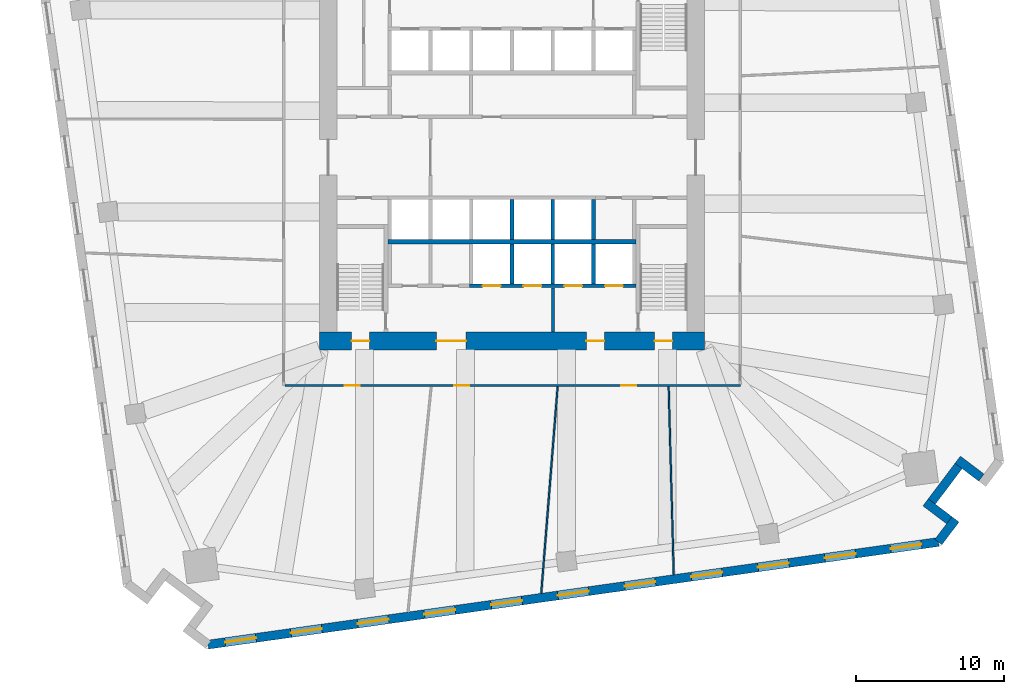
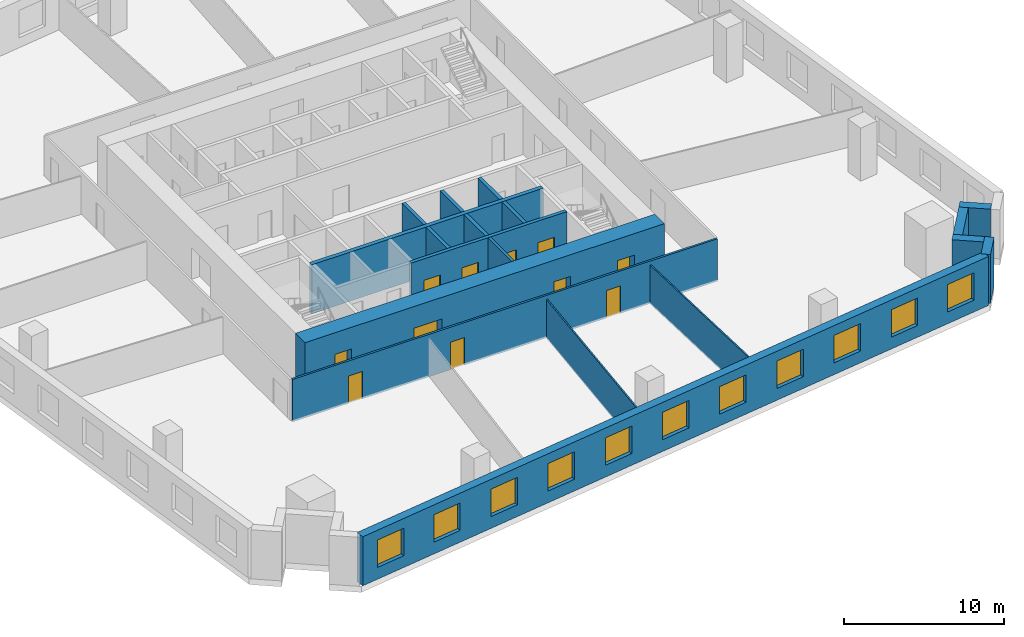
# One storey, part 6 of 12: 18 walls, 11 doors, 11 windows, 22 openings.
"""IFC4 building model written with IfcOpenShell, lengths in metres."""

import ifcopenshell
import ifcopenshell.guid

model = None  # the IFC model being written
_history = None  # IfcOwnerHistory: only IFC2X3 demands one
_inside = {}  # id of a spatial element -> (the spatial element, [elements in it])
_under = {}  # id of a project, library or spatial element -> (it, [spatial elements below it])
_declared = {}  # id of a project -> (the project, [libraries it declares])
_typed = {}  # id of a type object -> (the type object, [elements of that type])
_made_of = {}  # id of a material, layer set ... -> (it, [elements and type objects made of it])


def new_model(schema):
    """Start an empty IFC model of exactly this schema.

    Asked for "IFC4X3", IfcOpenShell would pick the latest addendum, in which some entities
    have other attributes; the version numbers below select the first issue.
    IFC2X3 requires an IfcOwnerHistory on every rooted entity: one is made here for all.
    """
    global model, _history
    if schema == "IFC4X3":
        model = ifcopenshell.file(schema_version=(4, 3, 0, 0))
    else:
        model = ifcopenshell.file(schema=schema)
    _inside.clear()
    _under.clear()
    _declared.clear()
    _typed.clear()
    _made_of.clear()
    _history = None
    if model.schema == "IFC2X3":
        org = make("IfcOrganization", Name="unknown")
        user = make(
            "IfcPersonAndOrganization",
            ThePerson=make("IfcPerson", FamilyName="unknown"),
            TheOrganization=org,
        )
        app = make(
            "IfcApplication",
            ApplicationDeveloper=org,
            Version="unknown",
            ApplicationFullName="unknown",
            ApplicationIdentifier="unknown",
        )
        _history = make(
            "IfcOwnerHistory",
            OwningUser=user,
            OwningApplication=app,
            ChangeAction="ADDED",
            CreationDate=0,
        )
    return model


def make(cls, **values):
    """One entity of the class cls with the attributes given. An attribute that is None is left unset."""
    return model.create_entity(
        cls, **{name: value for name, value in values.items() if value is not None}
    )


def rooted(cls, **values):
    """An entity with a GlobalId (a new one), such as an element, a storey or a relation."""
    return make(cls, GlobalId=ifcopenshell.guid.new(), OwnerHistory=_history, **values)


def si_unit(unit_type, name, prefix=None):
    """IfcSIUnit, for example si_unit("LENGTHUNIT", "METRE", prefix="MILLI")."""
    return make("IfcSIUnit", UnitType=unit_type, Prefix=prefix, Name=name)


def assignment(units):
    """IfcUnitAssignment: the units of a project."""
    return None if units is None else make("IfcUnitAssignment", Units=units)


def point(xyz):
    """IfcCartesianPoint."""
    return None if xyz is None else make("IfcCartesianPoint", Coordinates=xyz)


def direction(xyz):
    """IfcDirection."""
    return None if xyz is None else make("IfcDirection", DirectionRatios=xyz)


def frame(location, z_axis=None, x_axis=None):
    """IfcAxis2Placement3D, a coordinate frame: its origin and axes. An axis left out is left unset."""
    return make(
        "IfcAxis2Placement3D",
        Location=point(location),
        Axis=direction(z_axis),
        RefDirection=direction(x_axis),
    )


def frame_2d(location, x_axis=None):
    """IfcAxis2Placement2D, a coordinate frame in the plane: its origin and x axis."""
    return make(
        "IfcAxis2Placement2D", Location=point(location), RefDirection=direction(x_axis)
    )


def origin():
    """The frame at (0, 0, 0) with its axes left unset."""
    return frame((0.0, 0.0, 0.0))


def place(relative_to, where):
    """IfcLocalPlacement: puts the frame where relative to a parent placement (None: the world)."""
    return make(
        "IfcLocalPlacement", PlacementRelTo=relative_to, RelativePlacement=where
    )


def context(
    kind, dimensions, precision=None, world=None, true_north=None, identifier=None
):
    """IfcGeometricRepresentationContext, for example the 3D "Model" context."""
    return make(
        "IfcGeometricRepresentationContext",
        ContextIdentifier=identifier,
        ContextType=kind,
        CoordinateSpaceDimension=dimensions,
        Precision=precision,
        WorldCoordinateSystem=world,
        TrueNorth=true_north,
    )


def subcontext(parent, identifier, kind, view, scale=None):
    """IfcGeometricRepresentationSubContext, for example "Body" below "Model"."""
    return make(
        "IfcGeometricRepresentationSubContext",
        ContextIdentifier=identifier,
        ContextType=kind,
        ParentContext=parent,
        TargetScale=scale,
        TargetView=view,
    )


def project(units=None, contexts=None):
    """IfcProject with its units and contexts."""
    return rooted(
        "IfcProject",
        Name="project",
        RepresentationContexts=contexts,
        UnitsInContext=assignment(units),
    )


def spatial(cls, under=None, at=None, **own):
    """A site, building, storey or space (cls), placed at a placement, below another one or the project."""
    s = rooted(cls, ObjectPlacement=at, **own)
    if under is not None:
        _under.setdefault(under.id(), (under, []))[1].append(s)
    return s


def profile(cls, at=None, kind="AREA", **sizes):
    """A parametric profile (cls). Its sizes go by their IFC names, for example OverallWidth=200.0."""
    return make(cls, ProfileType=kind, Position=at, **sizes)


def rectangle(**sizes):
    """IfcRectangleProfileDef."""
    return profile("IfcRectangleProfileDef", **sizes)


def extrude(swept, where, along, depth):
    """IfcExtrudedAreaSolid: the profile swept, set in the frame where, extruded along a direction by depth."""
    return make(
        "IfcExtrudedAreaSolid",
        SweptArea=swept,
        Position=where,
        ExtrudedDirection=direction(along),
        Depth=depth,
    )


def shape(context_of_items, identifier, shape_type, items):
    """IfcShapeRepresentation: the items that make up one representation, for example the "Body"."""
    return make(
        "IfcShapeRepresentation",
        ContextOfItems=context_of_items,
        RepresentationIdentifier=identifier,
        RepresentationType=shape_type,
        Items=items,
    )


def material(Name=None, Category=None):
    """IfcMaterial."""
    return make("IfcMaterial", Name=Name, Category=Category)


def layer(
    of_material, thickness, ventilated=None, Name=None, Category=None, Priority=None
):
    """IfcMaterialLayer: one layer of a wall or slab, of a material (None: an air gap)."""
    return make(
        "IfcMaterialLayer",
        Material=of_material,
        LayerThickness=thickness,
        IsVentilated=ventilated,
        Name=Name,
        Category=Category,
        Priority=Priority,
    )


def layer_set(layers, Name=None):
    """IfcMaterialLayerSet."""
    return make("IfcMaterialLayerSet", MaterialLayers=layers, LayerSetName=Name)


def made_of(thing, what):
    """Note that an element or type object is made of a material, layer set ...; save() writes the relation."""
    if what is not None:
        _made_of.setdefault(what.id(), (what, []))[1].append(thing)
    return thing


def type_object(cls, material=None, **own):
    """A type object (cls), such as IfcWallType, which elements share."""
    return made_of(rooted(cls, **own), material)


def element(
    cls,
    number,
    at=None,
    inside=None,
    cuts=None,
    type_object=None,
    material=None,
    context=None,
    identifier="Body",
    shape_type=None,
    held_by="IfcProductDefinitionShape",
    body=None,
    shapes=None,
    **own,
):
    """One element of the class cls, such as IfcWall. Its Tag is "e" and its number.

    at: its placement. inside: the storey or other place that contains it. cuts: it is an
    opening in that element (IfcRelVoidsElement). A single representation is given by context,
    identifier, shape_type and body (its items); several are given by shapes. held_by: the class
    of the entity that holds the representations. save() writes the other relations.
    """
    e = rooted(cls, Tag="e%d" % number, ObjectPlacement=at, **own)
    if body is not None:
        shapes = [shape(context, identifier, shape_type, body)]
    if shapes is not None:
        e.Representation = make(held_by, Representations=shapes)
    if inside is not None:
        _inside.setdefault(inside.id(), (inside, []))[1].append(e)
    if cuts is not None:
        rooted(
            "IfcRelVoidsElement", RelatingBuildingElement=cuts, RelatedOpeningElement=e
        )
    if type_object is not None:
        _typed.setdefault(type_object.id(), (type_object, []))[1].append(e)
    return made_of(e, material)


def fill(opening, filler):
    """IfcRelFillsElement: the door or window that sits in an opening."""
    return rooted(
        "IfcRelFillsElement",
        RelatingOpeningElement=opening,
        RelatedBuildingElement=filler,
    )


def aggregate(whole, parts):
    """IfcRelAggregates: a whole, such as a stair, and the parts it consists of."""
    return rooted("IfcRelAggregates", RelatingObject=whole, RelatedObjects=parts)


def save(model, path):
    """Write the relations noted so far, then the file.

    IfcRelAggregates (storeys below a building ...), IfcRelContainedInSpatialStructure (elements
    in a storey), IfcRelDefinesByType, IfcRelAssociatesMaterial and IfcRelDeclares: one each for
    every whole, place, type object, material and project.
    """
    for whole, parts in _under.values():
        aggregate(whole, parts)
    for where, things in _inside.values():
        rooted(
            "IfcRelContainedInSpatialStructure",
            RelatedElements=things,
            RelatingStructure=where,
        )
    for kind, things in _typed.values():
        rooted("IfcRelDefinesByType", RelatedObjects=things, RelatingType=kind)
    for what, things in _made_of.values():
        rooted("IfcRelAssociatesMaterial", RelatedObjects=things, RelatingMaterial=what)
    for by, libraries in _declared.values():
        rooted("IfcRelDeclares", RelatingContext=by, RelatedDefinitions=libraries)
    model.write(path)


model = new_model("IFC4")

# Units and contexts
model_context = context("Model", 3, precision=1e-05, world=origin(), true_north=direction((0.0, 1.0)))
body_context = subcontext(model_context, "Body", "Model", "MODEL_VIEW")
ifc_project = project(units=[si_unit("LENGTHUNIT", "METRE"), si_unit("AREAUNIT", "SQUARE_METRE"), si_unit("VOLUMEUNIT", "CUBIC_METRE"), si_unit("PLANEANGLEUNIT", "RADIAN"), si_unit("MASSUNIT", "GRAM", prefix="KILO")], contexts=[model_context])

# Site, building, storey
site_placement = place(None, origin())
site = spatial("IfcSite", under=ifc_project, at=site_placement, CompositionType="ELEMENT")
building_placement = place(site_placement, origin())
building = spatial("IfcBuilding", under=site, at=building_placement, Name="Dilmun Exchange Tower", CompositionType="ELEMENT")
storey_placement = place(building_placement, frame((0.0, 0.0, 51.300048828125)))
storey = spatial("IfcBuildingStorey", under=building, at=storey_placement, Name="L11", CompositionType="ELEMENT", Elevation=51.300048828125)

# Wall
ifc_material_1 = material(Name="Concrete C40/50", Category="concrete")
ifc_layer_1 = layer(ifc_material_1, 0.199951171875)
ifc_layer_set_1 = layer_set([ifc_layer_1], Name="Concrete C40/50")
wall_type_1 = type_object("IfcWallType", Name="Core partition wall 200", PredefinedType="PARTITIONING", material=ifc_layer_set_1)
wall_1_placement = place(storey_placement, frame((2.75, -11.794921875, 0.0), z_axis=(0.0, 0.0, 1.0), x_axis=(0.0, 1.0, 0.0)))
element("IfcWall", 1, at=wall_1_placement, inside=storey, type_object=wall_type_1, Name="L11 core partition wall 01", PredefinedType="PARTITIONING", context=body_context, shape_type="SweptSolid", body=[
    extrude(rectangle(XDim=2.989990234375, YDim=0.199951171875, at=frame_2d((1.4951171875, 0.0))), origin(), (0.0, 0.0, 1.0), 3.75),
])

# Wall, openings, doors
ifc_material_2 = material(Name="Concrete C80/95", Category="concrete")
ifc_layer_2 = layer(ifc_material_2, 1.199951171875)
ifc_layer_set_2 = layer_set([ifc_layer_2], Name="Concrete C80/95")
wall_type_2 = type_object("IfcWallType", Name="Core shear wall 1200 Concrete C80/95", PredefinedType="SHEAR", material=ifc_layer_set_2)
wall_2_placement = place(storey_placement, frame((-13.0, -12.39990234375, 0.0), z_axis=(0.0, 0.0, 1.0), x_axis=(1.0, 0.0, 0.0)))
wall_2 = element("IfcWall", 2, at=wall_2_placement, inside=storey, type_object=wall_type_2, Name="L11 core shear wall S", PredefinedType="SHEAR", context=body_context, shape_type="SweptSolid", body=[
    extrude(rectangle(XDim=26.0, YDim=1.199951171875, at=frame_2d((13.0, 0.0))), origin(), (0.0, 0.0, 1.0), 3.75),
])
opening_1_placement = place(wall_2_placement, frame((7.89990234375, 0.0, 0.0)))
opening_1 = element("IfcOpeningElement", 3, at=opening_1_placement, cuts=wall_2, Name="Opening CD2", PredefinedType="OPENING", context=body_context, shape_type="SweptSolid", body=[
    extrude(rectangle(XDim=2.0, YDim=2.10009765625, at=frame_2d((1.0, 1.050048828125))), frame((0.0, 0.60986328125, 0.0), z_axis=(0.0, -1.0, 0.0), x_axis=(1.0, 0.0, 0.0)), (0.0, 0.0, 1.0), 1.219970703125),
])
opening_2_placement = place(wall_2_placement, frame((18.02490234375, 0.0, 0.0)))
opening_2 = element("IfcOpeningElement", 4, at=opening_2_placement, cuts=wall_2, Name="Opening CD3", PredefinedType="OPENING", context=body_context, shape_type="SweptSolid", body=[
    extrude(rectangle(XDim=1.199951171875, YDim=2.10009765625, at=frame_2d((0.60009765625, 1.050048828125))), frame((0.0, 0.60986328125, 0.0), z_axis=(0.0, -1.0, 0.0), x_axis=(1.0, 0.0, 0.0)), (0.0, 0.0, 1.0), 1.219970703125),
])
opening_3_placement = place(wall_2_placement, frame((2.175048828125, 0.0, 0.0)))
opening_3 = element("IfcOpeningElement", 5, at=opening_3_placement, cuts=wall_2, Name="Opening CD3", PredefinedType="OPENING", context=body_context, shape_type="SweptSolid", body=[
    extrude(rectangle(XDim=1.199951171875, YDim=2.10009765625, at=frame_2d((0.60009765625, 1.050048828125))), frame((0.0, 0.60986328125, 0.0), z_axis=(0.0, -1.0, 0.0), x_axis=(1.0, 0.0, 0.0)), (0.0, 0.0, 1.0), 1.219970703125),
])
opening_4_placement = place(wall_2_placement, frame((22.625, 0.0, 0.0)))
opening_4 = element("IfcOpeningElement", 6, at=opening_4_placement, cuts=wall_2, Name="Opening CD3", PredefinedType="OPENING", context=body_context, shape_type="SweptSolid", body=[
    extrude(rectangle(XDim=1.199951171875, YDim=2.10009765625, at=frame_2d((0.60009765625, 1.050048828125))), frame((0.0, 0.60986328125, 0.0), z_axis=(0.0, -1.0, 0.0), x_axis=(1.0, 0.0, 0.0)), (0.0, 0.0, 1.0), 1.219970703125),
])
ifc_material_3 = material(Name="Fire-rated steel door set", Category="steel")
door_type_1 = type_object("IfcDoorType", Name="Core service door 2000x2100", OperationType="DOUBLE_DOOR_DOUBLE_SWING", PredefinedType="DOOR", material=ifc_material_3)
door_1_placement = place(opening_1_placement, origin())
door_1 = element("IfcDoor", 7, at=door_1_placement, inside=storey, type_object=door_type_1, Name="L11 door South service lobby", OperationType="SINGLE_SWING_LEFT", OverallHeight=2.10009765625, OverallWidth=2.0, PredefinedType="DOOR", context=body_context, shape_type="SweptSolid", body=[
    extrude(rectangle(XDim=2.0, YDim=2.10009765625, at=frame_2d((1.0, 1.050048828125))), frame((0.0, 0.02490234375, 0.0), z_axis=(0.0, -1.0, 0.0), x_axis=(1.0, 0.0, 0.0)), (0.0, 0.0, 1.0), 0.050048828125),
])
fill(opening_1, door_1)
door_type_2 = type_object("IfcDoorType", Name="Stair exit door 1200x2100", OperationType="SINGLE_SWING_LEFT", PredefinedType="DOOR", material=ifc_material_3)
door_2_placement = place(opening_2_placement, origin())
door_2 = element("IfcDoor", 8, at=door_2_placement, inside=storey, type_object=door_type_2, Name="L11 door Fire-fighting lobby", OperationType="SINGLE_SWING_LEFT", OverallHeight=2.10009765625, OverallWidth=1.199951171875, PredefinedType="DOOR", context=body_context, shape_type="SweptSolid", body=[
    extrude(rectangle(XDim=1.199951171875, YDim=2.10009765625, at=frame_2d((0.60009765625, 1.050048828125))), frame((0.0, 0.02490234375, 0.0), z_axis=(0.0, -1.0, 0.0), x_axis=(1.0, 0.0, 0.0)), (0.0, 0.0, 1.0), 0.050048828125),
])
fill(opening_2, door_2)
door_3_placement = place(opening_3_placement, origin())
door_3 = element("IfcDoor", 9, at=door_3_placement, inside=storey, type_object=door_type_2, Name="L11 door Stair ST2", OperationType="SINGLE_SWING_LEFT", OverallHeight=2.10009765625, OverallWidth=1.199951171875, PredefinedType="DOOR", context=body_context, shape_type="SweptSolid", body=[
    extrude(rectangle(XDim=1.199951171875, YDim=2.10009765625, at=frame_2d((0.60009765625, 1.050048828125))), frame((0.0, 0.02490234375, 0.0), z_axis=(0.0, -1.0, 0.0), x_axis=(1.0, 0.0, 0.0)), (0.0, 0.0, 1.0), 0.050048828125),
])
fill(opening_3, door_3)
door_4_placement = place(opening_4_placement, origin())
door_4 = element("IfcDoor", 10, at=door_4_placement, inside=storey, type_object=door_type_2, Name="L11 door Stair ST3", OperationType="SINGLE_SWING_LEFT", OverallHeight=2.10009765625, OverallWidth=1.199951171875, PredefinedType="DOOR", context=body_context, shape_type="SweptSolid", body=[
    extrude(rectangle(XDim=1.199951171875, YDim=2.10009765625, at=frame_2d((0.60009765625, 1.050048828125))), frame((0.0, 0.02490234375, 0.0), z_axis=(0.0, -1.0, 0.0), x_axis=(1.0, 0.0, 0.0)), (0.0, 0.0, 1.0), 0.050048828125),
])
fill(opening_4, door_4)

ifc_material_4 = material(Name="Corridor wall 150")
ifc_layer_3 = layer(ifc_material_4, 0.14990234375)
ifc_layer_set_3 = layer_set([ifc_layer_3], Name="Corridor wall 150")
wall_type_3 = type_object("IfcWallType", Name="Corridor wall 150", PredefinedType="PARTITIONING", material=ifc_layer_set_3)
wall_3_placement = place(storey_placement, frame((-15.324951171875, -15.39990234375, 0.0), z_axis=(0.0, 0.0, 1.0), x_axis=(1.0, 0.0, 0.0)))
wall_3 = element("IfcWall", 11, at=wall_3_placement, inside=storey, type_object=wall_type_3, Name="Corridor wall", PredefinedType="PARTITIONING", context=body_context, shape_type="SweptSolid", body=[
    extrude(rectangle(XDim=30.724853515625, YDim=0.14990234375, at=frame_2d((15.3623046875, 0.0))), origin(), (0.0, 0.0, 1.0), 3.25),
])
opening_5_placement = place(wall_3_placement, frame((4.050048828125, 0.0, 0.0)))
opening_5 = element("IfcOpeningElement", 12, at=opening_5_placement, cuts=wall_3, Name="Opening TF11-D06", PredefinedType="OPENING", context=body_context, shape_type="SweptSolid", body=[
    extrude(rectangle(XDim=1.0, YDim=2.10009765625, at=frame_2d((0.5, 1.050048828125))), frame((0.0, 0.0849609375, 0.0), z_axis=(0.0, -1.0, 0.0), x_axis=(1.0, 0.0, 0.0)), (0.0, 0.0, 1.0), 0.169921875),
])
opening_6_placement = place(wall_3_placement, frame((11.427978515625, 0.0, 0.0)))
opening_6 = element("IfcOpeningElement", 13, at=opening_6_placement, cuts=wall_3, Name="Opening TF11-D08", PredefinedType="OPENING", context=body_context, shape_type="SweptSolid", body=[
    extrude(rectangle(XDim=1.0, YDim=2.10009765625, at=frame_2d((0.5, 1.050048828125))), frame((0.0, 0.0849609375, 0.0), z_axis=(0.0, -1.0, 0.0), x_axis=(1.0, 0.0, 0.0)), (0.0, 0.0, 1.0), 0.169921875),
])
opening_7_placement = place(wall_3_placement, frame((22.707275390625, 0.0, 0.0)))
opening_7 = element("IfcOpeningElement", 14, at=opening_7_placement, cuts=wall_3, Name="Opening TF11-D10", PredefinedType="OPENING", context=body_context, shape_type="SweptSolid", body=[
    extrude(rectangle(XDim=1.0, YDim=2.10009765625, at=frame_2d((0.5, 1.050048828125))), frame((0.0, 0.0849609375, 0.0), z_axis=(0.0, -1.0, 0.0), x_axis=(1.0, 0.0, 0.0)), (0.0, 0.0, 1.0), 0.169921875),
])
ifc_material_5 = material(Name="Fire door 1000 x 2100")
door_type_3 = type_object("IfcDoorType", Name="Fire door 1000 x 2100", OperationType="NOTDEFINED", PredefinedType="DOOR", material=ifc_material_5)
door_5_placement = place(opening_5_placement, frame((1.0, 0.0, 0.0), z_axis=(0.0, 0.0, 1.0), x_axis=(-1.0, 0.0, 0.0)))
door_5 = element("IfcDoor", 15, at=door_5_placement, inside=storey, type_object=door_type_3, Name="Door TF11-D06", OperationType="SINGLE_SWING_LEFT", OverallHeight=2.10009765625, OverallWidth=1.0, PredefinedType="DOOR", context=body_context, shape_type="SweptSolid", body=[
    extrude(rectangle(XDim=1.0, YDim=2.10009765625, at=frame_2d((0.5, 1.050048828125))), frame((0.0, 0.02490234375, 0.0), z_axis=(0.0, -1.0, 0.0), x_axis=(1.0, 0.0, 0.0)), (0.0, 0.0, 1.0), 0.050048828125),
])
fill(opening_5, door_5)
door_6_placement = place(opening_6_placement, frame((1.0, 0.0, 0.0), z_axis=(0.0, 0.0, 1.0), x_axis=(-1.0, 0.0, 0.0)))
door_6 = element("IfcDoor", 16, at=door_6_placement, inside=storey, type_object=door_type_3, Name="Door TF11-D08", OperationType="SINGLE_SWING_RIGHT", OverallHeight=2.10009765625, OverallWidth=1.0, PredefinedType="DOOR", context=body_context, shape_type="SweptSolid", body=[
    extrude(rectangle(XDim=1.0, YDim=2.10009765625, at=frame_2d((0.5, 1.050048828125))), frame((0.0, 0.02490234375, 0.0), z_axis=(0.0, -1.0, 0.0), x_axis=(1.0, 0.0, 0.0)), (0.0, 0.0, 1.0), 0.050048828125),
])
fill(opening_6, door_6)
door_7_placement = place(opening_7_placement, frame((1.0, 0.0, 0.0), z_axis=(0.0, 0.0, 1.0), x_axis=(-1.0, 0.0, 0.0)))
door_7 = element("IfcDoor", 17, at=door_7_placement, inside=storey, type_object=door_type_3, Name="Door TF11-D10", OperationType="SINGLE_SWING_LEFT", OverallHeight=2.10009765625, OverallWidth=1.0, PredefinedType="DOOR", context=body_context, shape_type="SweptSolid", body=[
    extrude(rectangle(XDim=1.0, YDim=2.10009765625, at=frame_2d((0.5, 1.050048828125))), frame((0.0, 0.02490234375, 0.0), z_axis=(0.0, -1.0, 0.0), x_axis=(1.0, 0.0, 0.0)), (0.0, 0.0, 1.0), 0.050048828125),
])
fill(opening_7, door_7)

# Walls
ifc_layer_4 = layer(ifc_material_1, 0.300048828125)
ifc_layer_set_4 = layer_set([ifc_layer_4], Name="Concrete C40/50")
wall_type_4 = type_object("IfcWallType", Name="Lift shaft shared wall 300", PredefinedType="SOLIDWALL", material=ifc_layer_set_4)
wall_4_placement = place(storey_placement, frame((-8.375, -5.699951171875, 0.0), z_axis=(0.0, 0.0, 1.0), x_axis=(1.0, 0.0, 0.0)))
element("IfcWall", 18, at=wall_4_placement, inside=storey, type_object=wall_type_4, Name="L11 lift shaft rear wall S", PredefinedType="SOLIDWALL", context=body_context, shape_type="SweptSolid", body=[
    extrude(rectangle(XDim=16.75, YDim=0.300048828125, at=frame_2d((8.375, 0.0))), origin(), (0.0, 0.0, 1.0), 3.75),
])
ifc_layer_5 = layer(ifc_material_1, 0.25)
ifc_layer_set_5 = layer_set([ifc_layer_5], Name="Concrete C40/50")
wall_type_5 = type_object("IfcWallType", Name="Lift shaft wall 250", PredefinedType="SOLIDWALL", material=ifc_layer_set_5)
for number, where, z_axis, x_axis, name in (
    (19, (0.0, -5.550048828125, 0.0), (0.0, 0.0, 1.0), (0.0, 1.0, 0.0), "L11 lift shaft divider S13"),
    (20, (2.75, -5.550048828125, 0.0), (0.0, 0.0, 1.0), (0.0, 1.0, 0.0), "L11 lift shaft divider S14"),
    (21, (5.5, -5.550048828125, 0.0), (0.0, 0.0, 1.0), (0.0, 1.0, 0.0), "L11 lift shaft divider S15"),
):
    element("IfcWall", number, at=place(storey_placement, frame(where, z_axis=z_axis, x_axis=x_axis)), inside=storey, type_object=wall_type_5, Name=name, PredefinedType="SOLIDWALL", context=body_context, shape_type="SweptSolid", body=[
        extrude(rectangle(XDim=2.699951171875, YDim=0.25, at=frame_2d((1.35009765625, 0.0))), origin(), (0.0, 0.0, 1.0), 3.75),
    ])

# Wall, openings, doors
wall_5_placement = place(storey_placement, frame((-2.875, -8.675048828125, 0.0), z_axis=(0.0, 0.0, 1.0), x_axis=(1.0, 0.0, 0.0)))
wall_5 = element("IfcWall", 22, at=wall_5_placement, inside=storey, type_object=wall_type_5, Name="L11 lift shaft front wall S2", PredefinedType="SOLIDWALL", context=body_context, shape_type="SweptSolid", body=[
    extrude(rectangle(XDim=11.25, YDim=0.25, at=frame_2d((5.625, 0.0))), origin(), (0.0, 0.0, 1.0), 3.75),
])
opening_8_placement = place(wall_5_placement, frame((0.89990234375, 0.0, 0.0)))
opening_8 = element("IfcOpeningElement", 23, at=opening_8_placement, cuts=wall_5, Name="Opening LD", PredefinedType="OPENING", context=body_context, shape_type="SweptSolid", body=[
    extrude(rectangle(XDim=1.199951171875, YDim=2.10009765625, at=frame_2d((0.60009765625, 1.050048828125))), frame((0.0, 0.135009765625, 0.0), z_axis=(0.0, -1.0, 0.0), x_axis=(1.0, 0.0, 0.0)), (0.0, 0.0, 1.0), 0.27001953125),
])
opening_9_placement = place(wall_5_placement, frame((3.64990234375, 0.0, 0.0)))
opening_9 = element("IfcOpeningElement", 24, at=opening_9_placement, cuts=wall_5, Name="Opening LD", PredefinedType="OPENING", context=body_context, shape_type="SweptSolid", body=[
    extrude(rectangle(XDim=1.199951171875, YDim=2.10009765625, at=frame_2d((0.60009765625, 1.050048828125))), frame((0.0, 0.135009765625, 0.0), z_axis=(0.0, -1.0, 0.0), x_axis=(1.0, 0.0, 0.0)), (0.0, 0.0, 1.0), 0.27001953125),
])
opening_10_placement = place(wall_5_placement, frame((6.39990234375, 0.0, 0.0)))
opening_10 = element("IfcOpeningElement", 25, at=opening_10_placement, cuts=wall_5, Name="Opening LD", PredefinedType="OPENING", context=body_context, shape_type="SweptSolid", body=[
    extrude(rectangle(XDim=1.199951171875, YDim=2.10009765625, at=frame_2d((0.60009765625, 1.050048828125))), frame((0.0, 0.135009765625, 0.0), z_axis=(0.0, -1.0, 0.0), x_axis=(1.0, 0.0, 0.0)), (0.0, 0.0, 1.0), 0.27001953125),
])
opening_11_placement = place(wall_5_placement, frame((9.14990234375, 0.0, 0.0)))
opening_11 = element("IfcOpeningElement", 26, at=opening_11_placement, cuts=wall_5, Name="Opening LD", PredefinedType="OPENING", context=body_context, shape_type="SweptSolid", body=[
    extrude(rectangle(XDim=1.199951171875, YDim=2.10009765625, at=frame_2d((0.60009765625, 1.050048828125))), frame((0.0, 0.135009765625, 0.0), z_axis=(0.0, -1.0, 0.0), x_axis=(1.0, 0.0, 0.0)), (0.0, 0.0, 1.0), 0.27001953125),
])
door_type_4 = type_object("IfcDoorType", Name="Lift landing door 1200x2100", OperationType="DOUBLE_DOOR_SLIDING", PredefinedType="DOOR", material=ifc_material_3)
door_8_placement = place(opening_8_placement, origin())
door_8 = element("IfcDoor", 27, at=door_8_placement, inside=storey, type_object=door_type_4, Name="L11 landing door SV1", OperationType="DOUBLE_DOOR_SLIDING", OverallHeight=2.10009765625, OverallWidth=1.199951171875, PredefinedType="DOOR", context=body_context, shape_type="SweptSolid", body=[
    extrude(rectangle(XDim=1.199951171875, YDim=2.10009765625, at=frame_2d((0.60009765625, 1.050048828125))), frame((0.0, 0.02490234375, 0.0), z_axis=(0.0, -1.0, 0.0), x_axis=(1.0, 0.0, 0.0)), (0.0, 0.0, 1.0), 0.050048828125),
])
fill(opening_8, door_8)
door_9_placement = place(opening_9_placement, origin())
door_9 = element("IfcDoor", 28, at=door_9_placement, inside=storey, type_object=door_type_4, Name="L11 landing door SV2", OperationType="DOUBLE_DOOR_SLIDING", OverallHeight=2.10009765625, OverallWidth=1.199951171875, PredefinedType="DOOR", context=body_context, shape_type="SweptSolid", body=[
    extrude(rectangle(XDim=1.199951171875, YDim=2.10009765625, at=frame_2d((0.60009765625, 1.050048828125))), frame((0.0, 0.02490234375, 0.0), z_axis=(0.0, -1.0, 0.0), x_axis=(1.0, 0.0, 0.0)), (0.0, 0.0, 1.0), 0.050048828125),
])
fill(opening_9, door_9)
door_10_placement = place(opening_10_placement, origin())
door_10 = element("IfcDoor", 29, at=door_10_placement, inside=storey, type_object=door_type_4, Name="L11 landing door FF1", OperationType="DOUBLE_DOOR_SLIDING", OverallHeight=2.10009765625, OverallWidth=1.199951171875, PredefinedType="DOOR", context=body_context, shape_type="SweptSolid", body=[
    extrude(rectangle(XDim=1.199951171875, YDim=2.10009765625, at=frame_2d((0.60009765625, 1.050048828125))), frame((0.0, 0.02490234375, 0.0), z_axis=(0.0, -1.0, 0.0), x_axis=(1.0, 0.0, 0.0)), (0.0, 0.0, 1.0), 0.050048828125),
])
fill(opening_10, door_10)
door_11_placement = place(opening_11_placement, origin())
door_11 = element("IfcDoor", 30, at=door_11_placement, inside=storey, type_object=door_type_4, Name="L11 landing door FF2", OperationType="DOUBLE_DOOR_SLIDING", OverallHeight=2.10009765625, OverallWidth=1.199951171875, PredefinedType="DOOR", context=body_context, shape_type="SweptSolid", body=[
    extrude(rectangle(XDim=1.199951171875, YDim=2.10009765625, at=frame_2d((0.60009765625, 1.050048828125))), frame((0.0, 0.02490234375, 0.0), z_axis=(0.0, -1.0, 0.0), x_axis=(1.0, 0.0, 0.0)), (0.0, 0.0, 1.0), 0.050048828125),
])
fill(opening_11, door_11)

# Walls
for number, where, z_axis, x_axis, name in (
    (31, (0.0, -8.550048828125, 0.0), (0.0, 0.0, 1.0), (0.0, 1.0, 0.0), "L11 lift shaft divider S23"),
    (32, (2.75, -8.550048828125, 0.0), (0.0, 0.0, 1.0), (0.0, 1.0, 0.0), "L11 lift shaft divider S24"),
    (33, (5.5, -8.550048828125, 0.0), (0.0, 0.0, 1.0), (0.0, 1.0, 0.0), "L11 lift shaft divider S25"),
):
    element("IfcWall", number, at=place(storey_placement, frame(where, z_axis=z_axis, x_axis=x_axis)), inside=storey, type_object=wall_type_5, Name=name, PredefinedType="SOLIDWALL", context=body_context, shape_type="SweptSolid", body=[
        extrude(rectangle(XDim=2.699951171875, YDim=0.25, at=frame_2d((1.35009765625, 0.0))), origin(), (0.0, 0.0, 1.0), 3.75),
    ])
ifc_material_6 = material(Name="Partition 100")
ifc_layer_6 = layer(ifc_material_6, 0.10009765625)
ifc_layer_set_6 = layer_set([ifc_layer_6], Name="Partition 100")
wall_type_6 = type_object("IfcWallType", Name="Partition 100", PredefinedType="PARTITIONING", material=ifc_layer_set_6)
wall_6_placement = place(storey_placement, frame((1.972900390625, -29.40966796875, 0.0), z_axis=(0.0, 0.0, 1.0), x_axis=(0.079123741472, 0.996864802035, 0.0)))
element("IfcWall", 34, at=wall_6_placement, inside=storey, type_object=wall_type_6, Name="Partition", PredefinedType="PARTITIONING", context=body_context, shape_type="SweptSolid", body=[
    extrude(rectangle(XDim=13.974365234375, YDim=0.10009765625, at=frame_2d((6.9873046875, 0.0))), origin(), (0.0, 0.0, 1.0), 2.949951171875),
])
wall_7_placement = place(storey_placement, frame((10.566162109375, -15.476318359375, 0.0), z_axis=(0.0, 0.0, 1.0), x_axis=(0.027144021526, -0.999631533164, 0.0)))
element("IfcWall", 35, at=wall_7_placement, inside=storey, type_object=wall_type_6, Name="Partition", PredefinedType="PARTITIONING", context=body_context, shape_type="SweptSolid", body=[
    extrude(rectangle(XDim=12.681884765625, YDim=0.10009765625, at=frame_2d((6.3408203125, 0.0))), origin(), (0.0, 0.0, 1.0), 2.949951171875),
])

# Wall, openings, windows
ifc_material_7 = material(Name="Precast concrete C50/60", Category="concrete")
ifc_layer_7 = layer(ifc_material_7, 0.60009765625)
ifc_layer_set_7 = layer_set([ifc_layer_7], Name="Precast concrete C50/60")
wall_type_7 = type_object("IfcWallType", Name="Precast stone-clad wall 600", PredefinedType="STANDARD", material=ifc_layer_set_7)
wall_8_placement = place(storey_placement, frame((-20.500244140625, -32.873046875, 0.0), z_axis=(0.0, 0.0, 1.0), x_axis=(0.990268068675, 0.139173101431, 0.0)))
wall_8 = element("IfcWall", 36, at=wall_8_placement, inside=storey, type_object=wall_type_7, Name="Facade wall L11-15", PredefinedType="STANDARD", context=body_context, shape_type="SweptSolid", body=[
    extrude(rectangle(XDim=49.75146484375, YDim=0.60009765625, at=frame_2d((24.875732421875, 0.0))), origin(), (0.0, 0.0, 1.0), 3.75),
])
opening_12_placement = place(wall_8_placement, frame((1.16064453125, 0.0, 0.89990234375)))
opening_12 = element("IfcOpeningElement", 37, at=opening_12_placement, cuts=wall_8, Name="Opening W210-210", PredefinedType="OPENING", context=body_context, shape_type="SweptSolid", body=[
    extrude(rectangle(XDim=2.10009765625, YDim=2.10009765625, at=frame_2d((1.050048828125, 1.050048828125))), frame((0.0, 0.31005859375, 0.0), z_axis=(0.0, -1.0, 0.0), x_axis=(1.0, 0.0, 0.0)), (0.0, 0.0, 1.0), 0.6201171875),
])
opening_13_placement = place(wall_8_placement, frame((5.643798828125, 0.0, 0.89990234375)))
opening_13 = element("IfcOpeningElement", 38, at=opening_13_placement, cuts=wall_8, Name="Opening W210-210", PredefinedType="OPENING", context=body_context, shape_type="SweptSolid", body=[
    extrude(rectangle(XDim=2.10009765625, YDim=2.10009765625, at=frame_2d((1.050048828125, 1.050048828125))), frame((0.0, 0.31005859375, 0.0), z_axis=(0.0, -1.0, 0.0), x_axis=(1.0, 0.0, 0.0)), (0.0, 0.0, 1.0), 0.6201171875),
])
opening_14_placement = place(wall_8_placement, frame((10.189453125, 0.0, 0.89990234375)))
opening_14 = element("IfcOpeningElement", 39, at=opening_14_placement, cuts=wall_8, Name="Opening W210-210", PredefinedType="OPENING", context=body_context, shape_type="SweptSolid", body=[
    extrude(rectangle(XDim=2.10009765625, YDim=2.10009765625, at=frame_2d((1.050048828125, 1.050048828125))), frame((0.0, 0.31005859375, 0.0), z_axis=(0.0, -1.0, 0.0), x_axis=(1.0, 0.0, 0.0)), (0.0, 0.0, 1.0), 0.6201171875),
])
opening_15_placement = place(wall_8_placement, frame((14.73486328125, 0.0, 0.89990234375)))
opening_15 = element("IfcOpeningElement", 40, at=opening_15_placement, cuts=wall_8, Name="Opening W210-210", PredefinedType="OPENING", context=body_context, shape_type="SweptSolid", body=[
    extrude(rectangle(XDim=2.10009765625, YDim=2.10009765625, at=frame_2d((1.050048828125, 1.050048828125))), frame((0.0, 0.31005859375, 0.0), z_axis=(0.0, -1.0, 0.0), x_axis=(1.0, 0.0, 0.0)), (0.0, 0.0, 1.0), 0.6201171875),
])
opening_16_placement = place(wall_8_placement, frame((19.2802734375, 0.0, 0.89990234375)))
opening_16 = element("IfcOpeningElement", 41, at=opening_16_placement, cuts=wall_8, Name="Opening W210-210", PredefinedType="OPENING", context=body_context, shape_type="SweptSolid", body=[
    extrude(rectangle(XDim=2.10009765625, YDim=2.10009765625, at=frame_2d((1.050048828125, 1.050048828125))), frame((0.0, 0.31005859375, 0.0), z_axis=(0.0, -1.0, 0.0), x_axis=(1.0, 0.0, 0.0)), (0.0, 0.0, 1.0), 0.6201171875),
])
opening_17_placement = place(wall_8_placement, frame((23.82568359375, 0.0, 0.89990234375)))
opening_17 = element("IfcOpeningElement", 42, at=opening_17_placement, cuts=wall_8, Name="Opening W210-210", PredefinedType="OPENING", context=body_context, shape_type="SweptSolid", body=[
    extrude(rectangle(XDim=2.10009765625, YDim=2.10009765625, at=frame_2d((1.050048828125, 1.050048828125))), frame((0.0, 0.31005859375, 0.0), z_axis=(0.0, -1.0, 0.0), x_axis=(1.0, 0.0, 0.0)), (0.0, 0.0, 1.0), 0.6201171875),
])
opening_18_placement = place(wall_8_placement, frame((28.37109375, 0.0, 0.89990234375)))
opening_18 = element("IfcOpeningElement", 43, at=opening_18_placement, cuts=wall_8, Name="Opening W210-210", PredefinedType="OPENING", context=body_context, shape_type="SweptSolid", body=[
    extrude(rectangle(XDim=2.10009765625, YDim=2.10009765625, at=frame_2d((1.050048828125, 1.050048828125))), frame((0.0, 0.31005859375, 0.0), z_axis=(0.0, -1.0, 0.0), x_axis=(1.0, 0.0, 0.0)), (0.0, 0.0, 1.0), 0.6201171875),
])
opening_19_placement = place(wall_8_placement, frame((32.91650390625, 0.0, 0.89990234375)))
opening_19 = element("IfcOpeningElement", 44, at=opening_19_placement, cuts=wall_8, Name="Opening W210-210", PredefinedType="OPENING", context=body_context, shape_type="SweptSolid", body=[
    extrude(rectangle(XDim=2.10009765625, YDim=2.10009765625, at=frame_2d((1.050048828125, 1.050048828125))), frame((0.0, 0.31005859375, 0.0), z_axis=(0.0, -1.0, 0.0), x_axis=(1.0, 0.0, 0.0)), (0.0, 0.0, 1.0), 0.6201171875),
])
opening_20_placement = place(wall_8_placement, frame((37.462158203125, 0.0, 0.89990234375)))
opening_20 = element("IfcOpeningElement", 45, at=opening_20_placement, cuts=wall_8, Name="Opening W210-210", PredefinedType="OPENING", context=body_context, shape_type="SweptSolid", body=[
    extrude(rectangle(XDim=2.10009765625, YDim=2.10009765625, at=frame_2d((1.050048828125, 1.050048828125))), frame((0.0, 0.31005859375, 0.0), z_axis=(0.0, -1.0, 0.0), x_axis=(1.0, 0.0, 0.0)), (0.0, 0.0, 1.0), 0.6201171875),
])
opening_21_placement = place(wall_8_placement, frame((42.007568359375, 0.0, 0.89990234375)))
opening_21 = element("IfcOpeningElement", 46, at=opening_21_placement, cuts=wall_8, Name="Opening W210-210", PredefinedType="OPENING", context=body_context, shape_type="SweptSolid", body=[
    extrude(rectangle(XDim=2.10009765625, YDim=2.10009765625, at=frame_2d((1.050048828125, 1.050048828125))), frame((0.0, 0.31005859375, 0.0), z_axis=(0.0, -1.0, 0.0), x_axis=(1.0, 0.0, 0.0)), (0.0, 0.0, 1.0), 0.6201171875),
])
opening_22_placement = place(wall_8_placement, frame((46.490966796875, 0.0, 0.89990234375)))
opening_22 = element("IfcOpeningElement", 47, at=opening_22_placement, cuts=wall_8, Name="Opening W210-210", PredefinedType="OPENING", context=body_context, shape_type="SweptSolid", body=[
    extrude(rectangle(XDim=2.10009765625, YDim=2.10009765625, at=frame_2d((1.050048828125, 1.050048828125))), frame((0.0, 0.31005859375, 0.0), z_axis=(0.0, -1.0, 0.0), x_axis=(1.0, 0.0, 0.0)), (0.0, 0.0, 1.0), 0.6201171875),
])
ifc_material_8 = material(Name="Clear low-emissivity glass in aluminium frame", Category="aluminium")
window_type = type_object("IfcWindowType", Name="Punched window 2100 x 2100", PartitioningType="DOUBLE_PANEL_VERTICAL", PredefinedType="WINDOW", material=ifc_material_8)
window_1_placement = place(opening_12_placement, origin())
window_1 = element("IfcWindow", 48, at=window_1_placement, inside=storey, type_object=window_type, Name="Window 16.1", OverallHeight=2.10009765625, OverallWidth=2.10009765625, PartitioningType="SINGLE_PANEL", PredefinedType="WINDOW", context=body_context, shape_type="SweptSolid", body=[
    extrude(rectangle(XDim=2.10009765625, YDim=2.10009765625, at=frame_2d((1.050048828125, 1.050048828125))), frame((0.0, 0.030029296875, 0.0), z_axis=(0.0, -1.0, 0.0), x_axis=(1.0, 0.0, 0.0)), (0.0, 0.0, 1.0), 0.06005859375),
])
fill(opening_12, window_1)
window_2_placement = place(opening_13_placement, origin())
window_2 = element("IfcWindow", 49, at=window_2_placement, inside=storey, type_object=window_type, Name="Window 16.2", OverallHeight=2.10009765625, OverallWidth=2.10009765625, PartitioningType="SINGLE_PANEL", PredefinedType="WINDOW", context=body_context, shape_type="SweptSolid", body=[
    extrude(rectangle(XDim=2.10009765625, YDim=2.10009765625, at=frame_2d((1.050048828125, 1.050048828125))), frame((0.0, 0.030029296875, 0.0), z_axis=(0.0, -1.0, 0.0), x_axis=(1.0, 0.0, 0.0)), (0.0, 0.0, 1.0), 0.06005859375),
])
fill(opening_13, window_2)
window_3_placement = place(opening_14_placement, origin())
window_3 = element("IfcWindow", 50, at=window_3_placement, inside=storey, type_object=window_type, Name="Window 16.3", OverallHeight=2.10009765625, OverallWidth=2.10009765625, PartitioningType="SINGLE_PANEL", PredefinedType="WINDOW", context=body_context, shape_type="SweptSolid", body=[
    extrude(rectangle(XDim=2.10009765625, YDim=2.10009765625, at=frame_2d((1.050048828125, 1.050048828125))), frame((0.0, 0.030029296875, 0.0), z_axis=(0.0, -1.0, 0.0), x_axis=(1.0, 0.0, 0.0)), (0.0, 0.0, 1.0), 0.06005859375),
])
fill(opening_14, window_3)
window_4_placement = place(opening_15_placement, origin())
window_4 = element("IfcWindow", 51, at=window_4_placement, inside=storey, type_object=window_type, Name="Window 16.4", OverallHeight=2.10009765625, OverallWidth=2.10009765625, PartitioningType="SINGLE_PANEL", PredefinedType="WINDOW", context=body_context, shape_type="SweptSolid", body=[
    extrude(rectangle(XDim=2.10009765625, YDim=2.10009765625, at=frame_2d((1.050048828125, 1.050048828125))), frame((0.0, 0.030029296875, 0.0), z_axis=(0.0, -1.0, 0.0), x_axis=(1.0, 0.0, 0.0)), (0.0, 0.0, 1.0), 0.06005859375),
])
fill(opening_15, window_4)
window_5_placement = place(opening_16_placement, origin())
window_5 = element("IfcWindow", 52, at=window_5_placement, inside=storey, type_object=window_type, Name="Window 16.5", OverallHeight=2.10009765625, OverallWidth=2.10009765625, PartitioningType="SINGLE_PANEL", PredefinedType="WINDOW", context=body_context, shape_type="SweptSolid", body=[
    extrude(rectangle(XDim=2.10009765625, YDim=2.10009765625, at=frame_2d((1.050048828125, 1.050048828125))), frame((0.0, 0.030029296875, 0.0), z_axis=(0.0, -1.0, 0.0), x_axis=(1.0, 0.0, 0.0)), (0.0, 0.0, 1.0), 0.06005859375),
])
fill(opening_16, window_5)
window_6_placement = place(opening_17_placement, origin())
window_6 = element("IfcWindow", 53, at=window_6_placement, inside=storey, type_object=window_type, Name="Window 16.6", OverallHeight=2.10009765625, OverallWidth=2.10009765625, PartitioningType="SINGLE_PANEL", PredefinedType="WINDOW", context=body_context, shape_type="SweptSolid", body=[
    extrude(rectangle(XDim=2.10009765625, YDim=2.10009765625, at=frame_2d((1.050048828125, 1.050048828125))), frame((0.0, 0.030029296875, 0.0), z_axis=(0.0, -1.0, 0.0), x_axis=(1.0, 0.0, 0.0)), (0.0, 0.0, 1.0), 0.06005859375),
])
fill(opening_17, window_6)
window_7_placement = place(opening_18_placement, origin())
window_7 = element("IfcWindow", 54, at=window_7_placement, inside=storey, type_object=window_type, Name="Window 16.7", OverallHeight=2.10009765625, OverallWidth=2.10009765625, PartitioningType="SINGLE_PANEL", PredefinedType="WINDOW", context=body_context, shape_type="SweptSolid", body=[
    extrude(rectangle(XDim=2.10009765625, YDim=2.10009765625, at=frame_2d((1.050048828125, 1.050048828125))), frame((0.0, 0.030029296875, 0.0), z_axis=(0.0, -1.0, 0.0), x_axis=(1.0, 0.0, 0.0)), (0.0, 0.0, 1.0), 0.06005859375),
])
fill(opening_18, window_7)
window_8_placement = place(opening_19_placement, origin())
window_8 = element("IfcWindow", 55, at=window_8_placement, inside=storey, type_object=window_type, Name="Window 16.8", OverallHeight=2.10009765625, OverallWidth=2.10009765625, PartitioningType="SINGLE_PANEL", PredefinedType="WINDOW", context=body_context, shape_type="SweptSolid", body=[
    extrude(rectangle(XDim=2.10009765625, YDim=2.10009765625, at=frame_2d((1.050048828125, 1.050048828125))), frame((0.0, 0.030029296875, 0.0), z_axis=(0.0, -1.0, 0.0), x_axis=(1.0, 0.0, 0.0)), (0.0, 0.0, 1.0), 0.06005859375),
])
fill(opening_19, window_8)
window_9_placement = place(opening_20_placement, origin())
window_9 = element("IfcWindow", 56, at=window_9_placement, inside=storey, type_object=window_type, Name="Window 16.9", OverallHeight=2.10009765625, OverallWidth=2.10009765625, PartitioningType="SINGLE_PANEL", PredefinedType="WINDOW", context=body_context, shape_type="SweptSolid", body=[
    extrude(rectangle(XDim=2.10009765625, YDim=2.10009765625, at=frame_2d((1.050048828125, 1.050048828125))), frame((0.0, 0.030029296875, 0.0), z_axis=(0.0, -1.0, 0.0), x_axis=(1.0, 0.0, 0.0)), (0.0, 0.0, 1.0), 0.06005859375),
])
fill(opening_20, window_9)
window_10_placement = place(opening_21_placement, origin())
window_10 = element("IfcWindow", 57, at=window_10_placement, inside=storey, type_object=window_type, Name="Window 16.10", OverallHeight=2.10009765625, OverallWidth=2.10009765625, PartitioningType="SINGLE_PANEL", PredefinedType="WINDOW", context=body_context, shape_type="SweptSolid", body=[
    extrude(rectangle(XDim=2.10009765625, YDim=2.10009765625, at=frame_2d((1.050048828125, 1.050048828125))), frame((0.0, 0.030029296875, 0.0), z_axis=(0.0, -1.0, 0.0), x_axis=(1.0, 0.0, 0.0)), (0.0, 0.0, 1.0), 0.06005859375),
])
fill(opening_21, window_10)
window_11_placement = place(opening_22_placement, origin())
window_11 = element("IfcWindow", 58, at=window_11_placement, inside=storey, type_object=window_type, Name="Window 16.11", OverallHeight=2.10009765625, OverallWidth=2.10009765625, PartitioningType="SINGLE_PANEL", PredefinedType="WINDOW", context=body_context, shape_type="SweptSolid", body=[
    extrude(rectangle(XDim=2.10009765625, YDim=2.10009765625, at=frame_2d((1.050048828125, 1.050048828125))), frame((0.0, 0.030029296875, 0.0), z_axis=(0.0, -1.0, 0.0), x_axis=(1.0, 0.0, 0.0)), (0.0, 0.0, 1.0), 0.06005859375),
])
fill(opening_22, window_11)

# Walls
wall_9_placement = place(storey_placement, frame((28.76708984375, -25.948974609375, 0.0), z_axis=(0.0, 0.0, 1.0), x_axis=(0.601797104511, 0.798649012397, 0.0)))
element("IfcWall", 59, at=wall_9_placement, inside=storey, type_object=wall_type_7, Name="Facade wall L11-16", PredefinedType="STANDARD", context=body_context, shape_type="SweptSolid", body=[
    extrude(rectangle(XDim=1.9111328125, YDim=0.60009765625, at=frame_2d((0.95556640625, 0.0))), origin(), (0.0, 0.0, 1.0), 3.75),
])
wall_10_placement = place(storey_placement, frame((29.497314453125, -24.481689453125, 0.0), z_axis=(0.0, 0.0, 1.0), x_axis=(-0.798606420838, 0.601853623896, 0.0)))
element("IfcWall", 60, at=wall_10_placement, inside=storey, type_object=wall_type_7, Name="Facade wall L11-17", PredefinedType="STANDARD", context=body_context, shape_type="SweptSolid", body=[
    extrude(rectangle(XDim=2.000244140625, YDim=0.60009765625, at=frame_2d((1.0, 0.0))), origin(), (0.0, 0.0, 1.0), 3.75),
])
wall_11_placement = place(storey_placement, frame((28.320068359375, -23.218994140625, 0.0), z_axis=(0.0, 0.0, 1.0), x_axis=(0.601795327796, 0.798650351182, 0.0)))
element("IfcWall", 61, at=wall_11_placement, inside=storey, type_object=wall_type_7, Name="Facade wall L11-18", PredefinedType="STANDARD", context=body_context, shape_type="SweptSolid", body=[
    extrude(rectangle(XDim=3.0, YDim=0.60009765625, at=frame_2d((1.5, 0.0))), origin(), (0.0, 0.0, 1.0), 3.75),
])
wall_12_placement = place(storey_placement, frame((30.06640625, -20.40283203125, 0.0), z_axis=(0.0, 0.0, 1.0), x_axis=(0.798665086418, -0.601775771976, 0.0)))
element("IfcWall", 62, at=wall_12_placement, inside=storey, type_object=wall_type_7, Name="Facade wall L11-19", PredefinedType="STANDARD", context=body_context, shape_type="SweptSolid", body=[
    extrude(rectangle(XDim=2.0, YDim=0.60009765625, at=frame_2d((1.0, 0.0))), origin(), (0.0, 0.0, 1.0), 3.75),
])

save(model, "model.ifc")
